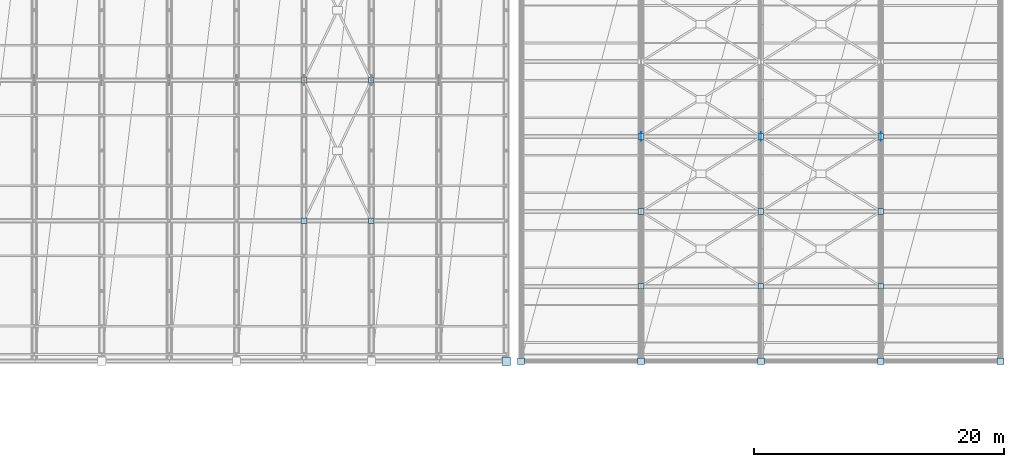
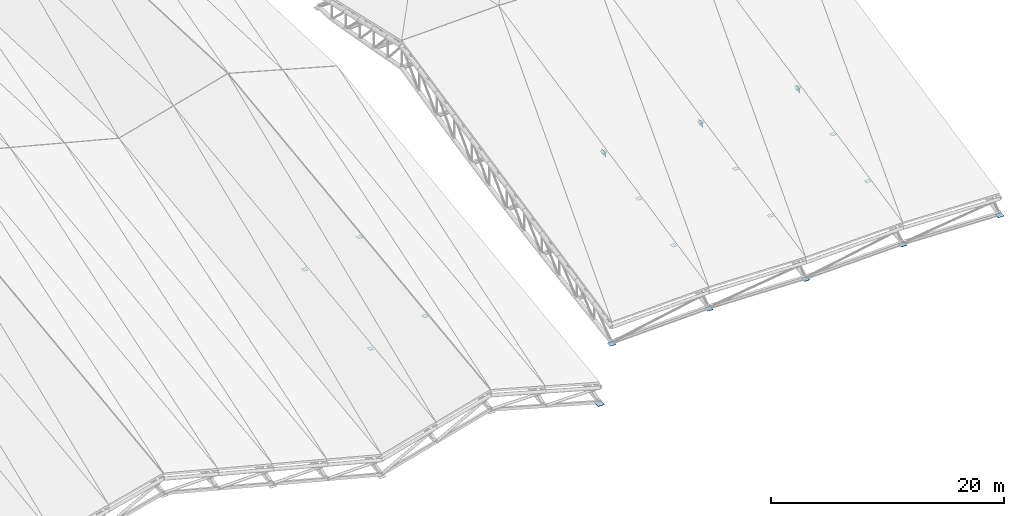
# One storey, part 106 of 109: 22 plates.
"""IFC4 building model written with IfcOpenShell, lengths in metres."""

from ifc_helpers import new_model, si_unit, direction, frame, origin, origin_2d, place, context, subcontext, project, spatial, rectangle, extrude, material, layer, layer_set, type_object, element, save


model = new_model("IFC4")

# Units and contexts
model_context = context("Model", 3, precision=1e-05, world=origin(), true_north=direction((0.0, 1.0)))
body_context = subcontext(model_context, "Body", "Model", "MODEL_VIEW")
ifc_project = project(units=[si_unit("LENGTHUNIT", "METRE"), si_unit("AREAUNIT", "SQUARE_METRE"), si_unit("VOLUMEUNIT", "CUBIC_METRE"), si_unit("PLANEANGLEUNIT", "RADIAN"), si_unit("MASSUNIT", "GRAM", prefix="KILO")], contexts=[model_context])

# Site, building, storey
site_placement = place(None, origin())
site = spatial("IfcSite", under=ifc_project, at=site_placement, CompositionType="ELEMENT")
building_placement = place(site_placement, origin())
building = spatial("IfcBuilding", under=site, at=building_placement, Name="Suirenkawa Promenade Aquatics Centre", CompositionType="ELEMENT")
storey_placement = place(building_placement, frame((0.0, 0.0, 22.800048828125)))
storey = spatial("IfcBuildingStorey", under=building, at=storey_placement, Name="ROOF", CompositionType="ELEMENT", Elevation=22.800048828125)

# Plates
ifc_material = material(Name="Steel IS 2062 E350 (Grade 350)", Category="steel")
ifc_layer_1 = layer(ifc_material, 0.028076171875, Name="Steel IS 2062 E350 (Grade 350)", Category="steel")
ifc_layer_set_1 = layer_set([ifc_layer_1], Name="Steel IS 2062 E350 (Grade 350)")
plate_type_1 = type_object("IfcPlateType", Name="PLT-BEAR-550x550x28", PredefinedType="SHEET", material=ifc_layer_set_1)
for number, where, z_axis, x_axis, name in (
    (1, (156.0, 50.39990234375, -10.8330078125), (0.0, 0.0, 1.0), (1.0, 0.0, 0.0), "Truss node plate TN-02 PLG-0131"),
    (2, (165.60009765625, 50.39990234375, -10.533203125), (0.0, 0.0, 1.0), (1.0, 0.0, 0.0), "Truss node plate TN-02 PLG-0133"),
    (3, (175.199951171875, 50.39990234375, -10.783203125), (0.0, 0.0, 1.0), (1.0, 0.0, 0.0), "Truss node plate TN-02 PLG-0138"),
    (4, (184.800048828125, 50.39990234375, -10.533203125), (0.0, 0.0, 1.0), (1.0, 0.0, 0.0), "Truss node plate TN-02 PLG-0143"),
    (5, (194.39990234375, 50.39990234375, -10.8330078125), (0.0, 0.0, 1.0), (1.0, 0.0, 0.0), "Truss node plate TN-02 PLG-0148"),
):
    element("IfcPlate", number, at=place(storey_placement, frame(where, z_axis=z_axis, x_axis=x_axis)), inside=storey, type_object=plate_type_1, Name=name, PredefinedType="SHEET", context=body_context, shape_type="SweptSolid", body=[
        extrude(rectangle(XDim=0.550048828125, YDim=0.550048828125, at=origin_2d()), origin(), (0.0, 0.0, 1.0), 0.028076171875),
    ])
ifc_layer_2 = layer(ifc_material, 0.031982421875, Name="Steel IS 2062 E350 (Grade 350)", Category="steel")
ifc_layer_set_2 = layer_set([ifc_layer_2], Name="Steel IS 2062 E350 (Grade 350)")
plate_type_2 = type_object("IfcPlateType", Name="PLT-BEAR-650x650x32", PredefinedType="SHEET", material=ifc_layer_set_2)
plate_placement = place(storey_placement, frame((154.800048828125, 50.39990234375, -16.68310546875), z_axis=(0.0, 0.0, 1.0), x_axis=(1.0, 0.0, 0.0)))
element("IfcPlate", 6, at=plate_placement, inside=storey, type_object=plate_type_2, Name="Truss node plate TN-01 PLG-0078", PredefinedType="SHEET", context=body_context, shape_type="SweptSolid", body=[
    extrude(rectangle(XDim=0.64990234375, YDim=0.64990234375, at=origin_2d()), origin(), (0.0, 0.0, 1.0), 0.031982421875),
])
ifc_layer_3 = layer(ifc_material, 0.01611328125, Name="Steel IS 2062 E350 (Grade 350)", Category="steel")
ifc_layer_set_3 = layer_set([ifc_layer_3], Name="Steel IS 2062 E350 (Grade 350)")
plate_type_3 = type_object("IfcPlateType", Name="PLT-GUSSET-600x450x16", PredefinedType="USERDEFINED", material=ifc_layer_set_3)
for number, where, z_axis, x_axis, name in (
    (7, (138.60009765625, 61.64990234375, -12.05810546875), (0.0, 0.0, 1.0), (1.0, 0.0, 0.0), "Truss node plate TN-06 PLG-0115"),
    (8, (144.0, 72.89990234375, -9.108154296875), (0.0, 0.0, 1.0), (1.0, 0.0, 0.0), "Truss node plate TN-06 PLG-0116"),
    (9, (144.0, 61.64990234375, -10.55810546875), (0.0, 0.0, 1.0), (1.0, 0.0, 0.0), "Truss node plate TN-06 PLG-0117"),
    (10, (138.60009765625, 72.89990234375, -10.608154296875), (0.0, 0.0, 1.0), (1.0, 0.0, 0.0), "Truss node plate TN-06 PLG-0118"),
    (11, (165.60009765625, 56.39990234375, -7.52099609375), (0.0, 0.0, 1.0), (1.0, 0.0, 0.0), "Truss node plate TN-06 PLG-0151"),
    (12, (175.199951171875, 62.39990234375, -6.505126953125), (0.0, 0.0, 1.0), (1.0, 0.0, 0.0), "Truss node plate TN-06 PLG-0152"),
    (13, (175.199951171875, 56.39990234375, -7.77099609375), (0.0, 0.0, 1.0), (1.0, 0.0, 0.0), "Truss node plate TN-06 PLG-0153"),
    (14, (165.60009765625, 62.39990234375, -6.255126953125), (0.0, 0.0, 1.0), (1.0, 0.0, 0.0), "Truss node plate TN-06 PLG-0154"),
    (15, (175.199951171875, 68.39990234375, -5.238037109375), (0.0, 0.0, 1.0), (1.0, 0.0, 0.0), "Truss node plate TN-06 PLG-0156"),
    (16, (165.60009765625, 68.39990234375, -4.988037109375), (0.0, 0.0, 1.0), (1.0, 0.0, 0.0), "Truss node plate TN-06 PLG-0157"),
    (17, (184.800048828125, 62.39990234375, -6.255126953125), (0.0, 0.0, 1.0), (1.0, 0.0, 0.0), "Truss node plate TN-06 PLG-0174"),
    (18, (184.800048828125, 56.39990234375, -7.52099609375), (0.0, 0.0, 1.0), (1.0, 0.0, 0.0), "Truss node plate TN-06 PLG-0175"),
    (19, (184.800048828125, 68.39990234375, -4.988037109375), (0.0, 0.0, 1.0), (1.0, 0.0, 0.0), "Truss node plate TN-06 PLG-0177"),
):
    element("IfcPlate", number, at=place(storey_placement, frame(where, z_axis=z_axis, x_axis=x_axis)), inside=storey, type_object=plate_type_3, Name=name, ObjectType="GUSSET", PredefinedType="USERDEFINED", context=body_context, shape_type="SweptSolid", body=[
        extrude(rectangle(XDim=0.449951171875, YDim=0.449951171875, at=origin_2d()), origin(), (0.0, 0.0, 1.0), 0.01611328125),
    ])
ifc_layer_4 = layer(ifc_material, 0.02001953125, Name="Steel IS 2062 E350 (Grade 350)", Category="steel")
ifc_layer_set_4 = layer_set([ifc_layer_4], Name="Steel IS 2062 E350 (Grade 350)")
plate_type_4 = type_object("IfcPlateType", Name="PLT-GUSSET-700x500x20", PredefinedType="USERDEFINED", material=ifc_layer_set_4)
for number, where, z_axis, x_axis, name in (
    (20, (165.60009765625, 68.39990234375, -5.39013671875), (0.0, 0.0, 1.0), (0.0, 1.0, 0.0), "Truss node plate TN-05 PLG-0135"),
    (21, (175.199951171875, 68.39990234375, -5.64013671875), (0.0, 0.0, 1.0), (0.0, 1.0, 0.0), "Truss node plate TN-05 PLG-0140"),
    (22, (184.800048828125, 68.39990234375, -5.39013671875), (0.0, 0.0, 1.0), (0.0, 1.0, 0.0), "Truss node plate TN-05 PLG-0145"),
):
    element("IfcPlate", number, at=place(storey_placement, frame(where, z_axis=z_axis, x_axis=x_axis)), inside=storey, type_object=plate_type_4, Name=name, ObjectType="GUSSET", PredefinedType="USERDEFINED", context=body_context, shape_type="SweptSolid", body=[
        extrude(rectangle(XDim=0.699951171875, YDim=0.02001953125, at=origin_2d()), origin(), (0.0, 0.0, 1.0), 0.5),
    ])

save(model, "model.ifc")
